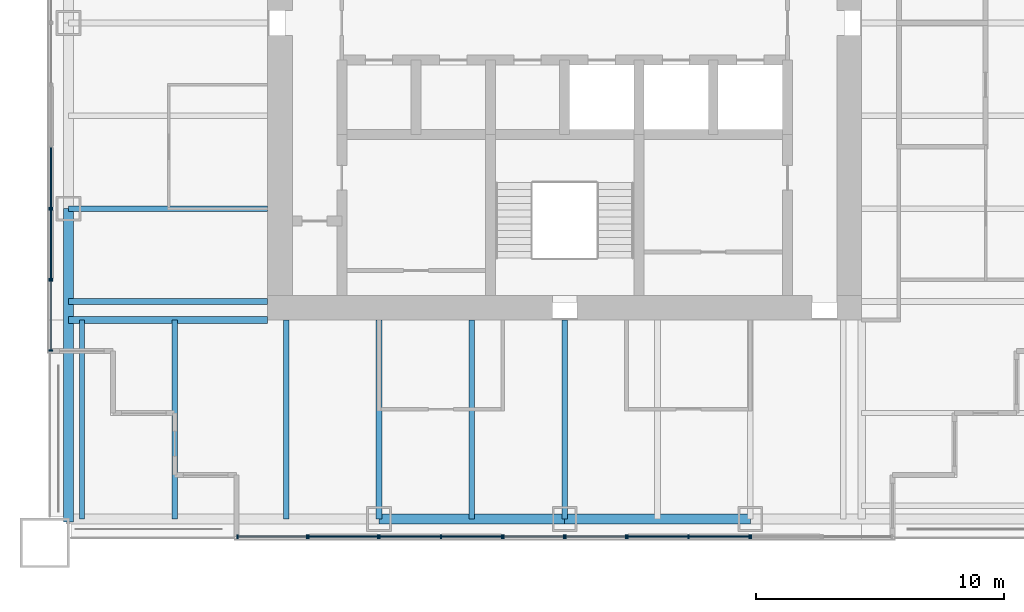
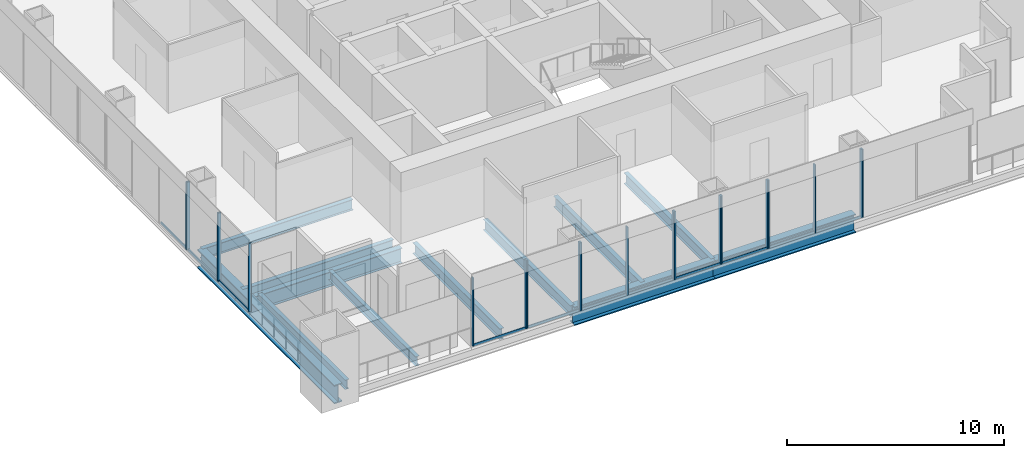
# One storey, part 2 of 14: 31 members, 12 beams, 10 elements without a shape of their own.
"""IFC4 building model written with IfcOpenShell, lengths in metres."""

from ifc_helpers import new_model, si_unit, direction, frame, origin, origin_2d, place, context, subcontext, project, spatial, rectangle, i_section, extrude, material, material_profile, profile_set, type_object, element, aggregate, save


model = new_model("IFC4")

# Units and contexts
model_context = context("Model", 3, precision=1e-05, world=origin(), true_north=direction((0.0, 1.0)))
body_context = subcontext(model_context, "Body", "Model", "MODEL_VIEW")
ifc_project = project(units=[si_unit("LENGTHUNIT", "METRE"), si_unit("AREAUNIT", "SQUARE_METRE"), si_unit("VOLUMEUNIT", "CUBIC_METRE"), si_unit("PLANEANGLEUNIT", "RADIAN"), si_unit("MASSUNIT", "GRAM", prefix="KILO")], contexts=[model_context])

# Site, building, storey
site_placement = place(None, origin())
site = spatial("IfcSite", under=ifc_project, at=site_placement, CompositionType="ELEMENT")
building_placement = place(site_placement, origin())
building = spatial("IfcBuilding", under=site, at=building_placement, Name="Tarangal Relay Tower", CompositionType="ELEMENT")
storey_placement = place(building_placement, frame((0.0, 0.0, 319.89990234375)))
storey = spatial("IfcBuildingStorey", under=building, at=storey_placement, Name="L71", CompositionType="ELEMENT", Elevation=319.89990234375)

# Beams
ifc_material_1 = material(Name="Steel ASTM A992", Category="steel")
ifc_material_profile_1 = material_profile(ifc_material_1, i_section(OverallWidth=0.209228515625, OverallDepth=0.533447265625, WebThickness=0.01025390625, FlangeThickness=0.015625, at=origin_2d()), Name="W21X62")
ifc_profile_set_1 = profile_set([ifc_material_profile_1], Name="Steel ASTM A992")
beam_type_1 = type_object("IfcBeamType", Name="Corner beam W21X62", PredefinedType="JOIST", material=ifc_profile_set_1)
for number, where, z_axis, x_axis, name in (
    (1, (-15.75, -12.0, -0.41650390625), (0.0, -1.0, 0.0), (1.0, 0.0, 0.0), "Corner beam CB12 S L71"),
    (2, (-19.5, -12.0, -0.41650390625), (0.0, -1.0, 0.0), (1.0, 0.0, 0.0), "Corner beam CB12 S L71"),
):
    element("IfcBeam", number, at=place(storey_placement, frame(where, z_axis=z_axis, x_axis=x_axis)), inside=storey, type_object=beam_type_1, Name=name, PredefinedType="JOIST", context=body_context, shape_type="SweptSolid", body=[
        extrude(i_section(OverallWidth=0.209228515625, OverallDepth=0.533447265625, WebThickness=0.01025390625, FlangeThickness=0.015625, at=origin_2d()), origin(), (0.0, 0.0, 1.0), 8.0400390625),
    ])
ifc_material_profile_2 = material_profile(ifc_material_1, i_section(OverallWidth=0.2919921875, OverallDepth=0.8408203125, WebThickness=0.0146484375, FlangeThickness=0.021728515625, at=origin_2d()), Name="W33X130")
ifc_profile_set_2 = profile_set([ifc_material_profile_2], Name="Steel ASTM A992")
beam_type_2 = type_object("IfcBeamType", Name="Corner girder W33X130", PredefinedType="BEAM", material=ifc_profile_set_2)
beam_1_placement = place(storey_placement, frame((-12.0, -12.0, -0.5703125), z_axis=(-1.0, 0.0, 0.0), x_axis=(0.0, -1.0, 0.0)))
element("IfcBeam", 3, at=beam_1_placement, inside=storey, type_object=beam_type_2, Name="Corner girder CG5 S L71", PredefinedType="BEAM", context=body_context, shape_type="SweptSolid", body=[
    extrude(i_section(OverallWidth=0.2919921875, OverallDepth=0.8408203125, WebThickness=0.0146484375, FlangeThickness=0.021728515625, at=origin_2d()), origin(), (0.0, 0.0, 1.0), 8.0400390625),
])
ifc_material_profile_3 = material_profile(ifc_material_1, i_section(OverallWidth=0.41162109375, OverallDepth=1.049072265625, WebThickness=0.033935546875, FlangeThickness=0.059814453125, at=origin_2d()), Name="W40X431")
ifc_profile_set_3 = profile_set([ifc_material_profile_3], Name="Steel ASTM A992")
beam_type_3 = type_object("IfcBeamType", Name="Edge girder W40X431", PredefinedType="SPANDREL", material=ifc_profile_set_3)
for number, where, z_axis, x_axis, name in (
    (4, (7.5, -20.0400390625, -0.67431640625), (-1.0, 0.0, 0.0), (0.0, -1.0, 0.0), "Edge girder EG1 S L71"),
    (5, (0.0, -20.0400390625, -0.67431640625), (-1.0, 0.0, 0.0), (0.0, -1.0, 0.0), "Edge girder EG1 S L71"),
):
    element("IfcBeam", number, at=place(storey_placement, frame(where, z_axis=z_axis, x_axis=x_axis)), inside=storey, type_object=beam_type_3, Name=name, PredefinedType="SPANDREL", context=body_context, shape_type="SweptSolid", body=[
        extrude(i_section(OverallWidth=0.41162109375, OverallDepth=1.049072265625, WebThickness=0.033935546875, FlangeThickness=0.059814453125, at=origin_2d()), origin(), (0.0, 0.0, 1.0), 7.5),
    ])
beam_2_placement = place(storey_placement, frame((-20.0400390625, -20.14990234375, -0.67431640625), z_axis=(0.0, 1.0, 0.0), x_axis=(-1.0, 0.0, 0.0)))
element("IfcBeam", 6, at=beam_2_placement, inside=storey, type_object=beam_type_3, Name="Edge girder EG1 W L71", PredefinedType="SPANDREL", context=body_context, shape_type="SweptSolid", body=[
    extrude(i_section(OverallWidth=0.41162109375, OverallDepth=1.049072265625, WebThickness=0.033935546875, FlangeThickness=0.059814453125, at=origin_2d()), origin(), (0.0, 0.0, 1.0), 12.64990234375),
])
ifc_material_profile_4 = material_profile(ifc_material_1, i_section(OverallWidth=0.228271484375, OverallDepth=0.607177734375, WebThickness=0.01123046875, FlangeThickness=0.017333984375, at=origin_2d()), Name="W24X76")
ifc_profile_set_4 = profile_set([ifc_material_profile_4], Name="Steel ASTM A992")
beam_type_4 = type_object("IfcBeamType", Name="Floor beam W24X76", PredefinedType="BEAM", material=ifc_profile_set_4)
for number, where, z_axis, x_axis, name in (
    (7, (0.0, -12.0, -0.453369140625), (0.0, -1.0, 0.0), (1.0, 0.0, 0.0), "Floor beam RB5 S L71"),
    (8, (-3.75, -12.0, -0.453369140625), (0.0, -1.0, 0.0), (1.0, 0.0, 0.0), "Floor beam RB5 S L71"),
    (9, (-7.5, -12.0, -0.453369140625), (0.0, -1.0, 0.0), (1.0, 0.0, 0.0), "Floor beam RB5 S L71"),
    (10, (-11.25, -12.0, -0.453369140625), (0.0, -1.0, 0.0), (1.0, 0.0, 0.0), "Floor beam RB5 S L71"),
    (11, (-12.0, -11.25, -0.453369140625), (-1.0, 0.0, 0.0), (0.0, -1.0, 0.0), "Floor beam RB5 W L71"),
    (12, (-12.0, -7.5, -0.453369140625), (-1.0, 0.0, 0.0), (0.0, -1.0, 0.0), "Floor beam RB5 W L71"),
):
    element("IfcBeam", number, at=place(storey_placement, frame(where, z_axis=z_axis, x_axis=x_axis)), inside=storey, type_object=beam_type_4, Name=name, PredefinedType="BEAM", context=body_context, shape_type="SweptSolid", body=[
        extrude(i_section(OverallWidth=0.228271484375, OverallDepth=0.607177734375, WebThickness=0.01123046875, FlangeThickness=0.017333984375, at=origin_2d()), origin(), (0.0, 0.0, 1.0), 8.0400390625),
    ])

# Curtain wall, members
ifc_material_2 = material(Name="Unitised curtain wall, dark glass and black aluminium", Category="aluminium")
curtain_wall_type_1 = type_object("IfcCurtainWallType", Name="Curtain wall CW-B", PredefinedType="USERDEFINED", material=ifc_material_2)
curtain_wall_1_placement = place(storey_placement, origin())
curtain_wall_1 = element("IfcCurtainWall", 13, at=curtain_wall_1_placement, inside=storey, type_object=curtain_wall_type_1, Name="Curtain wall CW-B S facade L71", ObjectType="UNITISED CURTAIN WALL", PredefinedType="USERDEFINED")
ifc_material_3 = material(Name="Black anodised aluminium mullion", Category="aluminium")
ifc_material_profile_5 = material_profile(ifc_material_3, rectangle(XDim=0.159912109375, YDim=0.06005859375, at=origin_2d()), Name="CW-BM 60X160")
ifc_profile_set_5 = profile_set([ifc_material_profile_5], Name="Black anodised aluminium mullion")
member_type_1 = type_object("IfcMemberType", Name="Mullion CW-B 60 x 160", PredefinedType="MULLION", material=ifc_profile_set_5)
member_1_placement = place(storey_placement, frame((2.469970703125, -20.75, 0.0), z_axis=(0.0, 0.0, 1.0), x_axis=(0.0, -1.0, 0.0)))
member_1 = element("IfcMember", 14, at=member_1_placement, type_object=member_type_1, Name="CW-B mullion 1", PredefinedType="MULLION", context=body_context, shape_type="SweptSolid", body=[
    extrude(rectangle(XDim=0.159912109375, YDim=0.06005859375, at=origin_2d()), origin(), (0.0, 0.0, 1.0), 3.85009765625),
])
member_2_placement = place(storey_placement, frame((0.030029296875, -20.75, 0.0), z_axis=(0.0, 0.0, 1.0), x_axis=(0.0, -1.0, 0.0)))
member_2 = element("IfcMember", 15, at=member_2_placement, type_object=member_type_1, Name="CW-B mullion 2", PredefinedType="MULLION", context=body_context, shape_type="SweptSolid", body=[
    extrude(rectangle(XDim=0.159912109375, YDim=0.06005859375, at=origin_2d()), origin(), (0.0, 0.0, 1.0), 3.85009765625),
])

curtain_wall_2_placement = place(storey_placement, origin())
curtain_wall_2 = element("IfcCurtainWall", 16, at=curtain_wall_2_placement, inside=storey, type_object=curtain_wall_type_1, Name="Curtain wall CW-B S facade L71", ObjectType="UNITISED CURTAIN WALL", PredefinedType="USERDEFINED")
member_3_placement = place(storey_placement, frame((-0.030029296875, -20.75, 0.0), z_axis=(0.0, 0.0, 1.0), x_axis=(0.0, -1.0, 0.0)))
member_3 = element("IfcMember", 17, at=member_3_placement, type_object=member_type_1, Name="CW-B mullion 1", PredefinedType="MULLION", context=body_context, shape_type="SweptSolid", body=[
    extrude(rectangle(XDim=0.159912109375, YDim=0.06005859375, at=origin_2d()), origin(), (0.0, 0.0, 1.0), 3.85009765625),
])
member_4_placement = place(storey_placement, frame((-2.469970703125, -20.75, 0.0), z_axis=(0.0, 0.0, 1.0), x_axis=(0.0, -1.0, 0.0)))
member_4 = element("IfcMember", 18, at=member_4_placement, type_object=member_type_1, Name="CW-B mullion 2", PredefinedType="MULLION", context=body_context, shape_type="SweptSolid", body=[
    extrude(rectangle(XDim=0.159912109375, YDim=0.06005859375, at=origin_2d()), origin(), (0.0, 0.0, 1.0), 3.85009765625),
])

curtain_wall_3_placement = place(storey_placement, origin())
curtain_wall_3 = element("IfcCurtainWall", 19, at=curtain_wall_3_placement, inside=storey, type_object=curtain_wall_type_1, Name="Curtain wall CW-B S facade L71", ObjectType="UNITISED CURTAIN WALL", PredefinedType="USERDEFINED")
member_5_placement = place(storey_placement, frame((-10.405029296875, -20.75, 0.0), z_axis=(0.0, 0.0, 1.0), x_axis=(0.0, -1.0, 0.0)))
member_5 = element("IfcMember", 20, at=member_5_placement, type_object=member_type_1, Name="CW-B mullion 1", PredefinedType="MULLION", context=body_context, shape_type="SweptSolid", body=[
    extrude(rectangle(XDim=0.159912109375, YDim=0.06005859375, at=origin_2d()), origin(), (0.0, 0.0, 1.0), 3.85009765625),
])
member_6_placement = place(storey_placement, frame((-13.219970703125, -20.75, 0.0), z_axis=(0.0, 0.0, 1.0), x_axis=(0.0, -1.0, 0.0)))
member_6 = element("IfcMember", 21, at=member_6_placement, type_object=member_type_1, Name="CW-B mullion 2", PredefinedType="MULLION", context=body_context, shape_type="SweptSolid", body=[
    extrude(rectangle(XDim=0.159912109375, YDim=0.06005859375, at=origin_2d()), origin(), (0.0, 0.0, 1.0), 3.85009765625),
])

curtain_wall_4_placement = place(storey_placement, origin())
curtain_wall_4 = element("IfcCurtainWall", 22, at=curtain_wall_4_placement, inside=storey, type_object=curtain_wall_type_1, Name="Curtain wall CW-B W facade L71", ObjectType="UNITISED CURTAIN WALL", PredefinedType="USERDEFINED")
member_7_placement = place(storey_placement, frame((-20.75, -13.219970703125, 0.0), z_axis=(0.0, 0.0, 1.0), x_axis=(-1.0, 0.0, 0.0)))
member_7 = element("IfcMember", 23, at=member_7_placement, type_object=member_type_1, Name="CW-B mullion 1", PredefinedType="MULLION", context=body_context, shape_type="SweptSolid", body=[
    extrude(rectangle(XDim=0.159912109375, YDim=0.06005859375, at=origin_2d()), origin(), (0.0, 0.0, 1.0), 3.85009765625),
])
member_8_placement = place(storey_placement, frame((-20.75, -10.405029296875, 0.0), z_axis=(0.0, 0.0, 1.0), x_axis=(-1.0, 0.0, 0.0)))
member_8 = element("IfcMember", 24, at=member_8_placement, type_object=member_type_1, Name="CW-B mullion 2", PredefinedType="MULLION", context=body_context, shape_type="SweptSolid", body=[
    extrude(rectangle(XDim=0.159912109375, YDim=0.06005859375, at=origin_2d()), origin(), (0.0, 0.0, 1.0), 3.85009765625),
])

# Curtain wall, member
ifc_material_4 = material(Name="Unitised curtain wall frame, black aluminium, with metal clad infill walls", Category="aluminium")
curtain_wall_type_2 = type_object("IfcCurtainWallType", Name="Curtain wall CW-BO", PredefinedType="USERDEFINED", material=ifc_material_4)
curtain_wall_5_placement = place(storey_placement, origin())
curtain_wall_5 = element("IfcCurtainWall", 25, at=curtain_wall_5_placement, inside=storey, type_object=curtain_wall_type_2, Name="Curtain wall CW-BO S facade L71", ObjectType="UNITISED CURTAIN WALL", PredefinedType="USERDEFINED")
ifc_material_profile_6 = material_profile(ifc_material_3, rectangle(XDim=0.159912109375, YDim=0.06005859375, at=origin_2d()), Name="CW-BOM 60X160")
ifc_profile_set_6 = profile_set([ifc_material_profile_6], Name="Black anodised aluminium mullion")
member_type_2 = type_object("IfcMemberType", Name="Mullion CW-BO 60 x 160", PredefinedType="MULLION", material=ifc_profile_set_6)
member_9_placement = place(storey_placement, frame((7.530029296875, -20.75, 0.0), z_axis=(0.0, 0.0, 1.0), x_axis=(0.0, -1.0, 0.0)))
member_9 = element("IfcMember", 26, at=member_9_placement, type_object=member_type_2, Name="CW-BO mullion 2", PredefinedType="MULLION", context=body_context, shape_type="SweptSolid", body=[
    extrude(rectangle(XDim=0.159912109375, YDim=0.06005859375, at=origin_2d()), origin(), (0.0, 0.0, 1.0), 3.85009765625),
])
aggregate(curtain_wall_5, [member_9])

# Curtain wall, members
curtain_wall_6_placement = place(storey_placement, origin())
curtain_wall_6 = element("IfcCurtainWall", 27, at=curtain_wall_6_placement, inside=storey, type_object=curtain_wall_type_2, Name="Curtain wall CW-BO S facade L71", ObjectType="UNITISED CURTAIN WALL", PredefinedType="USERDEFINED")
member_10_placement = place(storey_placement, frame((7.469970703125, -20.75, 0.0), z_axis=(0.0, 0.0, 1.0), x_axis=(0.0, -1.0, 0.0)))
member_10 = element("IfcMember", 28, at=member_10_placement, type_object=member_type_2, Name="CW-BO mullion 1", PredefinedType="MULLION", context=body_context, shape_type="SweptSolid", body=[
    extrude(rectangle(XDim=0.159912109375, YDim=0.06005859375, at=origin_2d()), origin(), (0.0, 0.0, 1.0), 3.85009765625),
])
member_11_placement = place(storey_placement, frame((5.0, -20.75, 0.0), z_axis=(0.0, 0.0, 1.0), x_axis=(0.0, -1.0, 0.0)))
member_11 = element("IfcMember", 29, at=member_11_placement, type_object=member_type_2, Name="CW-BO mullion 2", PredefinedType="MULLION", context=body_context, shape_type="SweptSolid", body=[
    extrude(rectangle(XDim=0.159912109375, YDim=0.06005859375, at=origin_2d()), origin(), (0.0, 0.0, 1.0), 3.85009765625),
])
member_12_placement = place(storey_placement, frame((2.530029296875, -20.75, 0.0), z_axis=(0.0, 0.0, 1.0), x_axis=(0.0, -1.0, 0.0)))
member_12 = element("IfcMember", 30, at=member_12_placement, type_object=member_type_2, Name="CW-BO mullion 3", PredefinedType="MULLION", context=body_context, shape_type="SweptSolid", body=[
    extrude(rectangle(XDim=0.159912109375, YDim=0.06005859375, at=origin_2d()), origin(), (0.0, 0.0, 1.0), 3.85009765625),
])

curtain_wall_7_placement = place(storey_placement, origin())
curtain_wall_7 = element("IfcCurtainWall", 31, at=curtain_wall_7_placement, inside=storey, type_object=curtain_wall_type_2, Name="Curtain wall CW-BO S facade L71", ObjectType="UNITISED CURTAIN WALL", PredefinedType="USERDEFINED")
member_13_placement = place(storey_placement, frame((-2.530029296875, -20.75, 0.0), z_axis=(0.0, 0.0, 1.0), x_axis=(0.0, -1.0, 0.0)))
member_13 = element("IfcMember", 32, at=member_13_placement, type_object=member_type_2, Name="CW-BO mullion 1", PredefinedType="MULLION", context=body_context, shape_type="SweptSolid", body=[
    extrude(rectangle(XDim=0.159912109375, YDim=0.06005859375, at=origin_2d()), origin(), (0.0, 0.0, 1.0), 3.85009765625),
])
member_14_placement = place(storey_placement, frame((-5.0, -20.75, 0.0), z_axis=(0.0, 0.0, 1.0), x_axis=(0.0, -1.0, 0.0)))
member_14 = element("IfcMember", 33, at=member_14_placement, type_object=member_type_2, Name="CW-BO mullion 2", PredefinedType="MULLION", context=body_context, shape_type="SweptSolid", body=[
    extrude(rectangle(XDim=0.159912109375, YDim=0.06005859375, at=origin_2d()), origin(), (0.0, 0.0, 1.0), 3.85009765625),
])
member_15_placement = place(storey_placement, frame((-7.469970703125, -20.75, 0.0), z_axis=(0.0, 0.0, 1.0), x_axis=(0.0, -1.0, 0.0)))
member_15 = element("IfcMember", 34, at=member_15_placement, type_object=member_type_2, Name="CW-BO mullion 3", PredefinedType="MULLION", context=body_context, shape_type="SweptSolid", body=[
    extrude(rectangle(XDim=0.159912109375, YDim=0.06005859375, at=origin_2d()), origin(), (0.0, 0.0, 1.0), 3.85009765625),
])

curtain_wall_8_placement = place(storey_placement, origin())
curtain_wall_8 = element("IfcCurtainWall", 35, at=curtain_wall_8_placement, inside=storey, type_object=curtain_wall_type_2, Name="Curtain wall CW-BO S facade L71", ObjectType="UNITISED CURTAIN WALL", PredefinedType="USERDEFINED")
member_16_placement = place(storey_placement, frame((-7.530029296875, -20.75, 0.0), z_axis=(0.0, 0.0, 1.0), x_axis=(0.0, -1.0, 0.0)))
member_16 = element("IfcMember", 36, at=member_16_placement, type_object=member_type_2, Name="CW-BO mullion 1", PredefinedType="MULLION", context=body_context, shape_type="SweptSolid", body=[
    extrude(rectangle(XDim=0.159912109375, YDim=0.06005859375, at=origin_2d()), origin(), (0.0, 0.0, 1.0), 3.85009765625),
])
member_17_placement = place(storey_placement, frame((-10.344970703125, -20.75, 0.0), z_axis=(0.0, 0.0, 1.0), x_axis=(0.0, -1.0, 0.0)))
member_17 = element("IfcMember", 37, at=member_17_placement, type_object=member_type_2, Name="CW-BO mullion 2", PredefinedType="MULLION", context=body_context, shape_type="SweptSolid", body=[
    extrude(rectangle(XDim=0.159912109375, YDim=0.06005859375, at=origin_2d()), origin(), (0.0, 0.0, 1.0), 3.85009765625),
])

curtain_wall_9_placement = place(storey_placement, origin())
curtain_wall_9 = element("IfcCurtainWall", 38, at=curtain_wall_9_placement, inside=storey, type_object=curtain_wall_type_2, Name="Curtain wall CW-BO W facade L71", ObjectType="UNITISED CURTAIN WALL", PredefinedType="USERDEFINED")
member_18_placement = place(storey_placement, frame((-20.75, -10.344970703125, 0.0), z_axis=(0.0, 0.0, 1.0), x_axis=(-1.0, 0.0, 0.0)))
member_18 = element("IfcMember", 39, at=member_18_placement, type_object=member_type_2, Name="CW-BO mullion 1", PredefinedType="MULLION", context=body_context, shape_type="SweptSolid", body=[
    extrude(rectangle(XDim=0.159912109375, YDim=0.06005859375, at=origin_2d()), origin(), (0.0, 0.0, 1.0), 3.85009765625),
])
member_19_placement = place(storey_placement, frame((-20.75, -7.530029296875, 0.0), z_axis=(0.0, 0.0, 1.0), x_axis=(-1.0, 0.0, 0.0)))
member_19 = element("IfcMember", 40, at=member_19_placement, type_object=member_type_2, Name="CW-BO mullion 2", PredefinedType="MULLION", context=body_context, shape_type="SweptSolid", body=[
    extrude(rectangle(XDim=0.159912109375, YDim=0.06005859375, at=origin_2d()), origin(), (0.0, 0.0, 1.0), 3.85009765625),
])

# Curtain wall, member
curtain_wall_10_placement = place(storey_placement, origin())
curtain_wall_10 = element("IfcCurtainWall", 41, at=curtain_wall_10_placement, inside=storey, type_object=curtain_wall_type_2, Name="Curtain wall CW-BO W facade L71", ObjectType="UNITISED CURTAIN WALL", PredefinedType="USERDEFINED")
member_20_placement = place(storey_placement, frame((-20.75, -7.469970703125, 0.0), z_axis=(0.0, 0.0, 1.0), x_axis=(-1.0, 0.0, 0.0)))
member_20 = element("IfcMember", 42, at=member_20_placement, type_object=member_type_2, Name="CW-BO mullion 1", PredefinedType="MULLION", context=body_context, shape_type="SweptSolid", body=[
    extrude(rectangle(XDim=0.159912109375, YDim=0.06005859375, at=origin_2d()), origin(), (0.0, 0.0, 1.0), 3.85009765625),
])

# Member
ifc_material_5 = material(Name="Black anodised aluminium transom", Category="aluminium")
ifc_material_profile_7 = material_profile(ifc_material_5, rectangle(XDim=0.06005859375, YDim=0.1298828125, at=origin_2d()), Name="CW-BT 60X130")
ifc_profile_set_7 = profile_set([ifc_material_profile_7], Name="Black anodised aluminium transom")
member_type_3 = type_object("IfcMemberType", Name="Transom CW-B 60 x 130", PredefinedType="USERDEFINED", material=ifc_profile_set_7)
member_21_placement = place(storey_placement, frame((2.43994140625, -20.75, 0.030029296875), z_axis=(-1.0, 0.0, 0.0), x_axis=(0.0, -1.0, 0.0)))
member_21 = element("IfcMember", 43, at=member_21_placement, type_object=member_type_3, Name="CW-B transom 1.1", ObjectType="TRANSOM", PredefinedType="USERDEFINED", context=body_context, shape_type="SweptSolid", body=[
    extrude(rectangle(XDim=0.06005859375, YDim=0.1298828125, at=origin_2d()), origin(), (0.0, 0.0, 1.0), 2.3798828125),
])

aggregate(curtain_wall_1, [member_1, member_2, member_21])

member_22_placement = place(storey_placement, frame((-0.06005859375, -20.75, 0.030029296875), z_axis=(-1.0, 0.0, 0.0), x_axis=(0.0, -1.0, 0.0)))
member_22 = element("IfcMember", 44, at=member_22_placement, type_object=member_type_3, Name="CW-B transom 1.1", ObjectType="TRANSOM", PredefinedType="USERDEFINED", context=body_context, shape_type="SweptSolid", body=[
    extrude(rectangle(XDim=0.06005859375, YDim=0.1298828125, at=origin_2d()), origin(), (0.0, 0.0, 1.0), 2.3798828125),
])

aggregate(curtain_wall_2, [member_3, member_4, member_22])

member_23_placement = place(storey_placement, frame((-10.43505859375, -20.75, 0.030029296875), z_axis=(-1.0, 0.0, 0.0), x_axis=(0.0, -1.0, 0.0)))
member_23 = element("IfcMember", 45, at=member_23_placement, type_object=member_type_3, Name="CW-B transom 1.1", ObjectType="TRANSOM", PredefinedType="USERDEFINED", context=body_context, shape_type="SweptSolid", body=[
    extrude(rectangle(XDim=0.06005859375, YDim=0.1298828125, at=origin_2d()), origin(), (0.0, 0.0, 1.0), 2.7548828125),
])

aggregate(curtain_wall_3, [member_5, member_6, member_23])

member_24_placement = place(storey_placement, frame((-20.75, -13.18994140625, 0.030029296875), z_axis=(0.0, 1.0, 0.0), x_axis=(-1.0, 0.0, 0.0)))
member_24 = element("IfcMember", 46, at=member_24_placement, type_object=member_type_3, Name="CW-B transom 1.1", ObjectType="TRANSOM", PredefinedType="USERDEFINED", context=body_context, shape_type="SweptSolid", body=[
    extrude(rectangle(XDim=0.06005859375, YDim=0.1298828125, at=origin_2d()), origin(), (0.0, 0.0, 1.0), 2.7548828125),
])

aggregate(curtain_wall_4, [member_7, member_8, member_24])

ifc_material_profile_8 = material_profile(ifc_material_5, rectangle(XDim=0.06005859375, YDim=0.1298828125, at=origin_2d()), Name="CW-BOT 60X130")
ifc_profile_set_8 = profile_set([ifc_material_profile_8], Name="Black anodised aluminium transom")
member_type_4 = type_object("IfcMemberType", Name="Transom CW-BO 60 x 130", PredefinedType="USERDEFINED", material=ifc_profile_set_8)
member_25_placement = place(storey_placement, frame((7.43994140625, -20.75, 0.030029296875), z_axis=(-1.0, 0.0, 0.0), x_axis=(0.0, -1.0, 0.0)))
member_25 = element("IfcMember", 47, at=member_25_placement, type_object=member_type_4, Name="CW-BO transom 1.1", ObjectType="TRANSOM", PredefinedType="USERDEFINED", context=body_context, shape_type="SweptSolid", body=[
    extrude(rectangle(XDim=0.06005859375, YDim=0.1298828125, at=origin_2d()), origin(), (0.0, 0.0, 1.0), 2.409912109375),
])

member_26_placement = place(storey_placement, frame((4.969970703125, -20.75, 0.030029296875), z_axis=(-1.0, 0.0, 0.0), x_axis=(0.0, -1.0, 0.0)))
member_26 = element("IfcMember", 48, at=member_26_placement, type_object=member_type_4, Name="CW-BO transom 2.1", ObjectType="TRANSOM", PredefinedType="USERDEFINED", context=body_context, shape_type="SweptSolid", body=[
    extrude(rectangle(XDim=0.06005859375, YDim=0.1298828125, at=origin_2d()), origin(), (0.0, 0.0, 1.0), 2.409912109375),
])

aggregate(curtain_wall_6, [member_10, member_11, member_12, member_25, member_26])

member_27_placement = place(storey_placement, frame((-2.56005859375, -20.75, 0.030029296875), z_axis=(-1.0, 0.0, 0.0), x_axis=(0.0, -1.0, 0.0)))
member_27 = element("IfcMember", 49, at=member_27_placement, type_object=member_type_4, Name="CW-BO transom 1.1", ObjectType="TRANSOM", PredefinedType="USERDEFINED", context=body_context, shape_type="SweptSolid", body=[
    extrude(rectangle(XDim=0.06005859375, YDim=0.1298828125, at=origin_2d()), origin(), (0.0, 0.0, 1.0), 2.409912109375),
])

member_28_placement = place(storey_placement, frame((-5.030029296875, -20.75, 0.030029296875), z_axis=(-1.0, 0.0, 0.0), x_axis=(0.0, -1.0, 0.0)))
member_28 = element("IfcMember", 50, at=member_28_placement, type_object=member_type_4, Name="CW-BO transom 2.1", ObjectType="TRANSOM", PredefinedType="USERDEFINED", context=body_context, shape_type="SweptSolid", body=[
    extrude(rectangle(XDim=0.06005859375, YDim=0.1298828125, at=origin_2d()), origin(), (0.0, 0.0, 1.0), 2.409912109375),
])

aggregate(curtain_wall_7, [member_13, member_14, member_15, member_27, member_28])

member_29_placement = place(storey_placement, frame((-7.56005859375, -20.75, 0.030029296875), z_axis=(-1.0, 0.0, 0.0), x_axis=(0.0, -1.0, 0.0)))
member_29 = element("IfcMember", 51, at=member_29_placement, type_object=member_type_4, Name="CW-BO transom 1.1", ObjectType="TRANSOM", PredefinedType="USERDEFINED", context=body_context, shape_type="SweptSolid", body=[
    extrude(rectangle(XDim=0.06005859375, YDim=0.1298828125, at=origin_2d()), origin(), (0.0, 0.0, 1.0), 2.7548828125),
])

aggregate(curtain_wall_8, [member_16, member_17, member_29])

member_30_placement = place(storey_placement, frame((-20.75, -10.31494140625, 0.030029296875), z_axis=(0.0, 1.0, 0.0), x_axis=(-1.0, 0.0, 0.0)))
member_30 = element("IfcMember", 52, at=member_30_placement, type_object=member_type_4, Name="CW-BO transom 1.1", ObjectType="TRANSOM", PredefinedType="USERDEFINED", context=body_context, shape_type="SweptSolid", body=[
    extrude(rectangle(XDim=0.06005859375, YDim=0.1298828125, at=origin_2d()), origin(), (0.0, 0.0, 1.0), 2.7548828125),
])

aggregate(curtain_wall_9, [member_18, member_19, member_30])

member_31_placement = place(storey_placement, frame((-20.75, -7.43994140625, 0.030029296875), z_axis=(0.0, 1.0, 0.0), x_axis=(-1.0, 0.0, 0.0)))
member_31 = element("IfcMember", 53, at=member_31_placement, type_object=member_type_4, Name="CW-BO transom 1.1", ObjectType="TRANSOM", PredefinedType="USERDEFINED", context=body_context, shape_type="SweptSolid", body=[
    extrude(rectangle(XDim=0.06005859375, YDim=0.1298828125, at=origin_2d()), origin(), (0.0, 0.0, 1.0), 2.409912109375),
])

aggregate(curtain_wall_10, [member_20, member_31])

save(model, "model.ifc")
